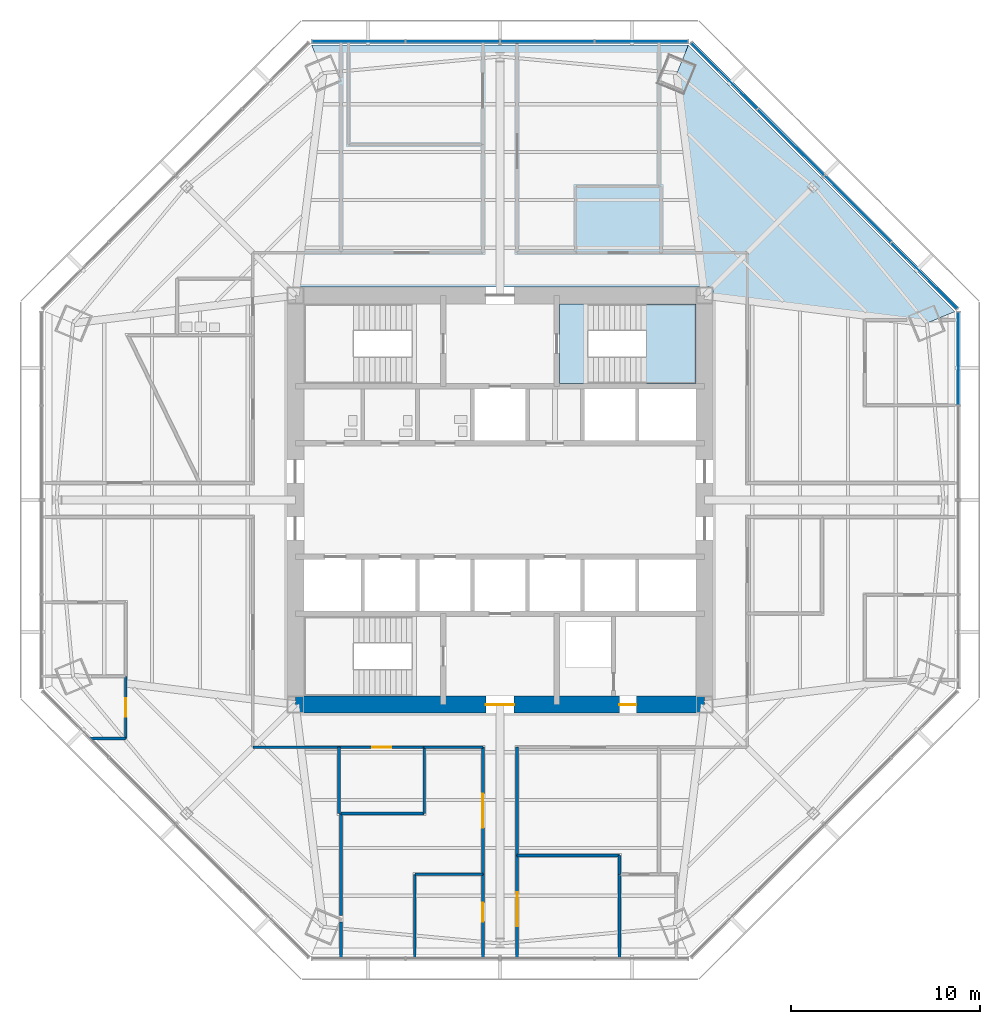
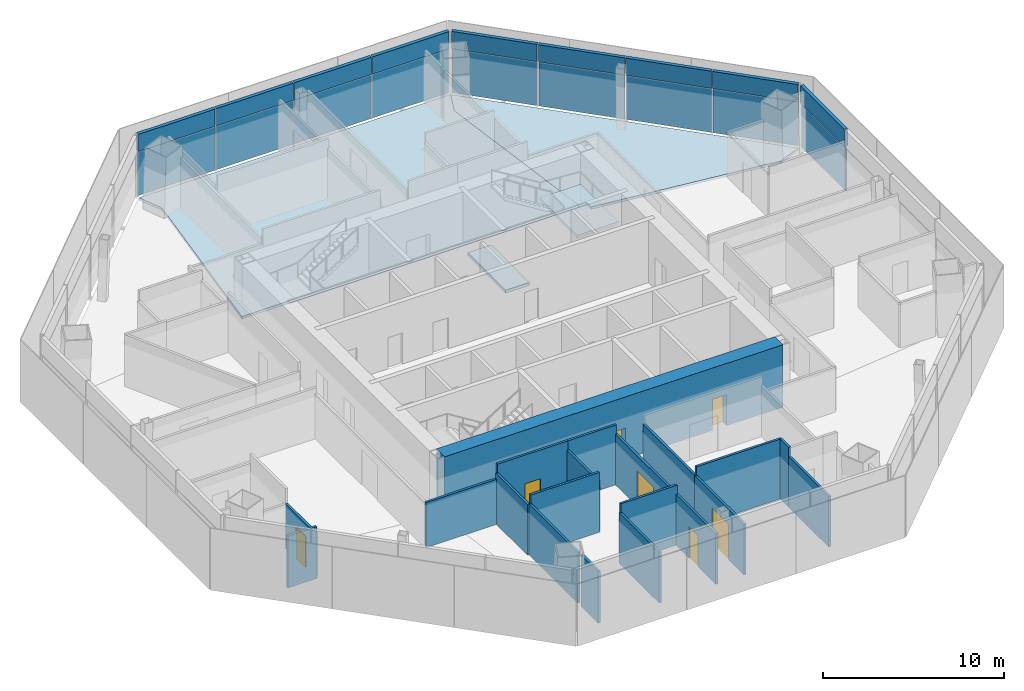
# One storey, part 8 of 14: 20 walls, 18 plates, 7 doors, 4 slabs, 7 openings, 4 elements without a shape of their own.
"""IFC4 building model written with IfcOpenShell, lengths in metres."""

from ifc_helpers import new_model, si_unit, direction, frame, frame_2d, origin, origin_2d, place, context, subcontext, project, spatial, polyline, rectangle, outline, extrude, source, transform, mapped, material, layer, layer_set, type_object, type_shapes, element, fill, aggregate, save


model = new_model("IFC4")

# Units and contexts
model_context = context("Model", 3, precision=1e-05, world=origin(), true_north=direction((0.0, 1.0)))
body_context = subcontext(model_context, "Body", "Model", "MODEL_VIEW")
ifc_project = project(units=[si_unit("LENGTHUNIT", "METRE"), si_unit("AREAUNIT", "SQUARE_METRE"), si_unit("VOLUMEUNIT", "CUBIC_METRE"), si_unit("PLANEANGLEUNIT", "RADIAN"), si_unit("MASSUNIT", "GRAM", prefix="KILO")], contexts=[model_context])

# Site, building, storey
site_placement = place(None, origin())
site = spatial("IfcSite", under=ifc_project, at=site_placement, CompositionType="ELEMENT")
building_placement = place(site_placement, origin())
building = spatial("IfcBuilding", under=site, at=building_placement, Name="Mashrafa Tower", CompositionType="ELEMENT")
storey_placement = place(building_placement, frame((0.0, 0.0, 134.39990234375)))
storey = spatial("IfcBuildingStorey", under=building, at=storey_placement, Name="L30", CompositionType="ELEMENT", Elevation=134.39990234375)

# Slabs
ifc_material_1 = material(Name="Concrete C35/45", Category="concrete")
ifc_layer_1 = layer(ifc_material_1, 0.1650390625)
ifc_layer_set_1 = layer_set([ifc_layer_1], Name="Floor slab 165")
slab_type_1 = type_object("IfcSlabType", Name="Floor slab 165", PredefinedType="FLOOR", material=ifc_layer_set_1)
slab_1_placement = place(storey_placement, frame((0.0, 0.0, -0.164794921875)))
element("IfcSlab", 1, at=slab_1_placement, inside=storey, type_object=slab_type_1, Name="Floor slab L30 north-east bay", PredefinedType="FLOOR", context=body_context, shape_type="SweptSolid", body=[
    extrude(outline(polyline([(9.9462890625, 24.0126953125), (24.0126953125, 9.9462890625), (24.0126953125, 9.9462890625), (22.539306640625, 9.3359375), (11.25, 10.743896484375), (11.25, 11.25), (10.743896484375, 11.25), (9.3359375, 22.539306640625), (9.9462890625, 24.0126953125), (9.9462890625, 24.0126953125)])), origin(), (0.0, 0.0, 1.0), 0.164794921875),
])
slab_2_placement = place(storey_placement, frame((0.0, 0.0, -0.164794921875)))
element("IfcSlab", 2, at=slab_2_placement, inside=storey, type_object=slab_type_1, Name="Floor slab L30 north bay", PredefinedType="FLOOR", context=body_context, shape_type="SweptSolid", body=[
    extrude(outline(polyline([(9.9462890625, 24.0126953125), (9.3359375, 22.539306640625), (10.743896484375, 11.25), (-10.743896484375, 11.25), (-9.3359375, 22.539306640625), (-9.9462890625, 24.0126953125), (9.9462890625, 24.0126953125)])), origin(), (0.0, 0.0, 1.0), 0.164794921875),
])

# Stair, slabs
ifc_material_2 = material(Name="Exit stair 1400")
stair_type = type_object("IfcStairType", Name="Exit stair 1400", PredefinedType="HALF_TURN_STAIR", material=ifc_material_2)
stair_placement = place(storey_placement, origin())
stair = element("IfcStair", 3, at=stair_placement, inside=storey, type_object=stair_type, Name="Stair S2 L30", PredefinedType="HALF_TURN_STAIR")
ifc_material_3 = material(Name="Concrete C32/40", Category="concrete")
ifc_layer_2 = layer(ifc_material_3, 0.199951171875)
ifc_layer_set_2 = layer_set([ifc_layer_2], Name="Stair landing 200")
slab_type_2 = type_object("IfcSlabType", Name="Stair landing 200", PredefinedType="LANDING", material=ifc_layer_set_2)
slab_3_placement = place(storey_placement, frame((0.0, 0.0, -0.199951171875)))
slab_3 = element("IfcSlab", 4, at=slab_3_placement, type_object=slab_type_2, Name="S2 landing 1", PredefinedType="LANDING", context=body_context, shape_type="SweptSolid", body=[
    extrude(outline(polyline([(3.14990234375, 6.14990234375), (4.659912109375, 6.14990234375), (4.659912109375, 10.35009765625), (3.14990234375, 10.35009765625), (3.14990234375, 6.14990234375)])), origin(), (0.0, 0.0, 1.0), 0.199951171875),
])
slab_4_placement = place(storey_placement, frame((0.0, 0.0, 1.900146484375)))
slab_4 = element("IfcSlab", 5, at=slab_4_placement, type_object=slab_type_2, Name="S2 landing 2", PredefinedType="LANDING", context=body_context, shape_type="SweptSolid", body=[
    extrude(outline(polyline([(7.719970703125, 6.14990234375), (10.35009765625, 6.14990234375), (10.35009765625, 10.35009765625), (7.719970703125, 10.35009765625), (7.719970703125, 6.14990234375)])), origin(), (0.0, 0.0, 1.0), 0.199951171875),
])
aggregate(stair, [slab_3, slab_4])

# Curtain wall, plate
ifc_material_4 = material(Name="Unitised aluminium curtain wall", Category="aluminium")
curtain_wall_type = type_object("IfcCurtainWallType", Name="Office curtain wall, zone 2 CW-B 225 deep", PredefinedType="NOTDEFINED", material=ifc_material_4)
curtain_wall_1_placement = place(storey_placement, origin())
curtain_wall_1 = element("IfcCurtainWall", 6, at=curtain_wall_1_placement, inside=storey, type_object=curtain_wall_type, Name="Office curtain wall, zone 2 L30 east", PredefinedType="NOTDEFINED")
ifc_material_5 = material(Name="Insulated double glazing, low-e, neutral", Category="glass")
ifc_layer_3 = layer(ifc_material_5, 0.028076171875)
ifc_layer_set_3 = layer_set([ifc_layer_3], Name="Vision panel CW-B 28")
plate_type_1 = type_object("IfcPlateType", Name="Vision panel CW-B 28", PredefinedType="CURTAIN_PANEL", material=ifc_layer_set_3)
shared_shape_1 = source(origin(), body_context, "Body", "SweptSolid", [
    extrude(rectangle(XDim=4.888916015625, YDim=0.028076171875, at=origin_2d()), origin(), (0.0, 0.0, 1.0), 2.9599609375),
])
plate_1_placement = place(storey_placement, frame((24.212646484375, 7.463134765625, 0.0), z_axis=(0.0, 0.0, 1.0), x_axis=(0.0, 1.0, 0.0)))
plate_1 = element("IfcPlate", 7, at=plate_1_placement, type_object=plate_type_1, Name="CW-B vision panel 4", PredefinedType="CURTAIN_PANEL", context=body_context, shape_type="MappedRepresentation", body=[
    mapped(shared_shape_1, transform((0.0, 0.0, 0.0))),
])

# Curtain wall, plates
curtain_wall_2_placement = place(storey_placement, origin())
curtain_wall_2 = element("IfcCurtainWall", 8, at=curtain_wall_2_placement, inside=storey, type_object=curtain_wall_type, Name="Office curtain wall, zone 2 L30 north-east", PredefinedType="NOTDEFINED")
plate_2_placement = place(storey_placement, frame((22.398193359375, 11.84375, 0.0), z_axis=(0.0, 0.0, 1.0), x_axis=(-0.707106781187, 0.707106781187, 0.0)))
plate_2 = element("IfcPlate", 9, at=plate_2_placement, type_object=plate_type_1, Name="CW-B vision panel 1", PredefinedType="CURTAIN_PANEL", context=body_context, shape_type="MappedRepresentation", body=[
    mapped(shared_shape_1, transform((0.0, 0.0, 0.0))),
])
plate_3_placement = place(storey_placement, frame((11.84375, 22.398193359375, 0.0), z_axis=(0.0, 0.0, 1.0), x_axis=(-0.707106781187, 0.707106781187, 0.0)))
plate_3 = element("IfcPlate", 10, at=plate_3_placement, type_object=plate_type_1, Name="CW-B vision panel 4", PredefinedType="CURTAIN_PANEL", context=body_context, shape_type="MappedRepresentation", body=[
    mapped(shared_shape_1, transform((0.0, 0.0, 0.0))),
])

curtain_wall_3_placement = place(storey_placement, origin())
curtain_wall_3 = element("IfcCurtainWall", 11, at=curtain_wall_3_placement, inside=storey, type_object=curtain_wall_type, Name="Office curtain wall, zone 2 L30 north", PredefinedType="NOTDEFINED")
plate_4_placement = place(storey_placement, frame((7.463134765625, 24.212646484375, 0.0), z_axis=(0.0, 0.0, 1.0), x_axis=(-1.0, 0.0, 0.0)))
plate_4 = element("IfcPlate", 12, at=plate_4_placement, type_object=plate_type_1, Name="CW-B vision panel 1", PredefinedType="CURTAIN_PANEL", context=body_context, shape_type="MappedRepresentation", body=[
    mapped(shared_shape_1, transform((0.0, 0.0, 0.0))),
])
plate_5_placement = place(storey_placement, frame((-7.463134765625, 24.212646484375, 0.0), z_axis=(0.0, 0.0, 1.0), x_axis=(-1.0, 0.0, 0.0)))
plate_5 = element("IfcPlate", 13, at=plate_5_placement, type_object=plate_type_1, Name="CW-B vision panel 4", PredefinedType="CURTAIN_PANEL", context=body_context, shape_type="MappedRepresentation", body=[
    mapped(shared_shape_1, transform((0.0, 0.0, 0.0))),
])

# Plate
ifc_material_6 = material(Name="Insulated aluminium spandrel panel", Category="aluminium")
ifc_layer_4 = layer(ifc_material_6, 0.219970703125)
ifc_layer_set_4 = layer_set([ifc_layer_4], Name="Spandrel panel CW-B 220")
plate_type_2 = type_object("IfcPlateType", Name="Spandrel panel CW-B 220", PredefinedType="CURTAIN_PANEL", material=ifc_layer_set_4)
shared_shape_2 = source(origin(), body_context, "Body", "SweptSolid", [
    extrude(rectangle(XDim=4.888916015625, YDim=0.219970703125, at=origin_2d()), origin(), (0.0, 0.0, 1.0), 1.159912109375),
])
plate_6_placement = place(storey_placement, frame((24.212646484375, 7.463134765625, 3.0400390625), z_axis=(0.0, 0.0, 1.0), x_axis=(0.0, 1.0, 0.0)))
plate_6 = element("IfcPlate", 14, at=plate_6_placement, type_object=plate_type_2, Name="CW-B spandrel panel 4", PredefinedType="CURTAIN_PANEL", context=body_context, shape_type="MappedRepresentation", body=[
    mapped(shared_shape_2, transform((0.0, 0.0, 0.0))),
])

aggregate(curtain_wall_1, [plate_1, plate_6])

plate_7_placement = place(storey_placement, frame((22.398193359375, 11.84375, 3.0400390625), z_axis=(0.0, 0.0, 1.0), x_axis=(-0.707106781187, 0.707106781187, 0.0)))
plate_7 = element("IfcPlate", 15, at=plate_7_placement, type_object=plate_type_2, Name="CW-B spandrel panel 1", PredefinedType="CURTAIN_PANEL", context=body_context, shape_type="MappedRepresentation", body=[
    mapped(shared_shape_2, transform((0.0, 0.0, 0.0))),
])

plate_8_placement = place(storey_placement, frame((11.84375, 22.398193359375, 3.0400390625), z_axis=(0.0, 0.0, 1.0), x_axis=(-0.707106781187, 0.707106781187, 0.0)))
plate_8 = element("IfcPlate", 16, at=plate_8_placement, type_object=plate_type_2, Name="CW-B spandrel panel 4", PredefinedType="CURTAIN_PANEL", context=body_context, shape_type="MappedRepresentation", body=[
    mapped(shared_shape_2, transform((0.0, 0.0, 0.0))),
])

plate_9_placement = place(storey_placement, frame((7.463134765625, 24.212646484375, 3.0400390625), z_axis=(0.0, 0.0, 1.0), x_axis=(-1.0, 0.0, 0.0)))
plate_9 = element("IfcPlate", 17, at=plate_9_placement, type_object=plate_type_2, Name="CW-B spandrel panel 1", PredefinedType="CURTAIN_PANEL", context=body_context, shape_type="MappedRepresentation", body=[
    mapped(shared_shape_2, transform((0.0, 0.0, 0.0))),
])

plate_10_placement = place(storey_placement, frame((-7.463134765625, 24.212646484375, 3.0400390625), z_axis=(0.0, 0.0, 1.0), x_axis=(-1.0, 0.0, 0.0)))
plate_10 = element("IfcPlate", 18, at=plate_10_placement, type_object=plate_type_2, Name="CW-B spandrel panel 4", PredefinedType="CURTAIN_PANEL", context=body_context, shape_type="MappedRepresentation", body=[
    mapped(shared_shape_2, transform((0.0, 0.0, 0.0))),
])

shared_shape_3 = source(origin(), body_context, "Body", "SweptSolid", [
    extrude(rectangle(XDim=4.92138671875, YDim=0.028076171875, at=origin_2d()), origin(), (0.0, 0.0, 1.0), 2.9599609375),
])
type_shapes(plate_type_1, [shared_shape_1, shared_shape_3])
plate_11_placement = place(storey_placement, frame((18.884033203125, 15.358154296875, 0.0), z_axis=(0.0, 0.0, 1.0), x_axis=(-0.707106781187, 0.707106781187, 0.0)))
plate_11 = element("IfcPlate", 19, at=plate_11_placement, type_object=plate_type_1, Name="CW-B vision panel 2", PredefinedType="CURTAIN_PANEL", context=body_context, shape_type="MappedRepresentation", body=[
    mapped(shared_shape_3, transform((0.0, 0.0, 0.0))),
])

plate_12_placement = place(storey_placement, frame((15.358154296875, 18.884033203125, 0.0), z_axis=(0.0, 0.0, 1.0), x_axis=(-0.707106781187, 0.707106781187, 0.0)))
plate_12 = element("IfcPlate", 20, at=plate_12_placement, type_object=plate_type_1, Name="CW-B vision panel 3", PredefinedType="CURTAIN_PANEL", context=body_context, shape_type="MappedRepresentation", body=[
    mapped(shared_shape_3, transform((0.0, 0.0, 0.0))),
])

plate_13_placement = place(storey_placement, frame((2.4931640625, 24.212646484375, 0.0), z_axis=(0.0, 0.0, 1.0), x_axis=(-1.0, 0.0, 0.0)))
plate_13 = element("IfcPlate", 21, at=plate_13_placement, type_object=plate_type_1, Name="CW-B vision panel 2", PredefinedType="CURTAIN_PANEL", context=body_context, shape_type="MappedRepresentation", body=[
    mapped(shared_shape_3, transform((0.0, 0.0, 0.0))),
])

plate_14_placement = place(storey_placement, frame((-2.4931640625, 24.212646484375, 0.0), z_axis=(0.0, 0.0, 1.0), x_axis=(-1.0, 0.0, 0.0)))
plate_14 = element("IfcPlate", 22, at=plate_14_placement, type_object=plate_type_1, Name="CW-B vision panel 3", PredefinedType="CURTAIN_PANEL", context=body_context, shape_type="MappedRepresentation", body=[
    mapped(shared_shape_3, transform((0.0, 0.0, 0.0))),
])

shared_shape_4 = source(origin(), body_context, "Body", "SweptSolid", [
    extrude(rectangle(XDim=4.92138671875, YDim=0.219970703125, at=origin_2d()), origin(), (0.0, 0.0, 1.0), 1.159912109375),
])
type_shapes(plate_type_2, [shared_shape_2, shared_shape_4])
plate_15_placement = place(storey_placement, frame((18.884033203125, 15.358154296875, 3.0400390625), z_axis=(0.0, 0.0, 1.0), x_axis=(-0.707106781187, 0.707106781187, 0.0)))
plate_15 = element("IfcPlate", 23, at=plate_15_placement, type_object=plate_type_2, Name="CW-B spandrel panel 2", PredefinedType="CURTAIN_PANEL", context=body_context, shape_type="MappedRepresentation", body=[
    mapped(shared_shape_4, transform((0.0, 0.0, 0.0))),
])

plate_16_placement = place(storey_placement, frame((15.358154296875, 18.884033203125, 3.0400390625), z_axis=(0.0, 0.0, 1.0), x_axis=(-0.707106781187, 0.707106781187, 0.0)))
plate_16 = element("IfcPlate", 24, at=plate_16_placement, type_object=plate_type_2, Name="CW-B spandrel panel 3", PredefinedType="CURTAIN_PANEL", context=body_context, shape_type="MappedRepresentation", body=[
    mapped(shared_shape_4, transform((0.0, 0.0, 0.0))),
])

aggregate(curtain_wall_2, [plate_2, plate_7, plate_11, plate_15, plate_12, plate_16, plate_3, plate_8])

plate_17_placement = place(storey_placement, frame((2.4931640625, 24.212646484375, 3.0400390625), z_axis=(0.0, 0.0, 1.0), x_axis=(-1.0, 0.0, 0.0)))
plate_17 = element("IfcPlate", 25, at=plate_17_placement, type_object=plate_type_2, Name="CW-B spandrel panel 2", PredefinedType="CURTAIN_PANEL", context=body_context, shape_type="MappedRepresentation", body=[
    mapped(shared_shape_4, transform((0.0, 0.0, 0.0))),
])

plate_18_placement = place(storey_placement, frame((-2.4931640625, 24.212646484375, 3.0400390625), z_axis=(0.0, 0.0, 1.0), x_axis=(-1.0, 0.0, 0.0)))
plate_18 = element("IfcPlate", 26, at=plate_18_placement, type_object=plate_type_2, Name="CW-B spandrel panel 3", PredefinedType="CURTAIN_PANEL", context=body_context, shape_type="MappedRepresentation", body=[
    mapped(shared_shape_4, transform((0.0, 0.0, 0.0))),
])

aggregate(curtain_wall_3, [plate_4, plate_9, plate_13, plate_17, plate_14, plate_18, plate_5, plate_10])

# Wall, openings, doors
ifc_material_7 = material(Name="Concrete C60/75", Category="concrete")
ifc_layer_5 = layer(ifc_material_7, 0.89990234375)
ifc_layer_set_5 = layer_set([ifc_layer_5], Name="Core wall 900 C60/75")
wall_type_1 = type_object("IfcWallType", Name="Core wall 900 C60/75", PredefinedType="SOLIDWALL", material=ifc_layer_set_5)
wall_1_placement = place(storey_placement, frame((-10.800048828125, -10.800048828125, 0.0), z_axis=(0.0, 0.0, 1.0), x_axis=(1.0, 0.0, 0.0)))
wall_1 = element("IfcWall", 27, at=wall_1_placement, inside=storey, type_object=wall_type_1, Name="Core wall CW-S L30", PredefinedType="SOLIDWALL", context=body_context, shape_type="SweptSolid", body=[
    extrude(rectangle(XDim=21.60009765625, YDim=0.89990234375, at=frame_2d((10.800048828125, 0.0))), origin(), (0.0, 0.0, 1.0), 4.2001953125),
])
opening_1_placement = place(wall_1_placement, frame((10.050048828125, 0.0, 0.0)))
opening_1 = element("IfcOpeningElement", 28, at=opening_1_placement, cuts=wall_1, Name="Opening 30.027", PredefinedType="OPENING", context=body_context, shape_type="SweptSolid", body=[
    extrude(rectangle(XDim=1.5, YDim=2.10009765625, at=frame_2d((0.75, 1.050048828125))), frame((0.0, 0.4599609375, 0.0), z_axis=(0.0, -1.0, 0.0), x_axis=(1.0, 0.0, 0.0)), (0.0, 0.0, 1.0), 0.919921875),
])
opening_2_placement = place(wall_1_placement, frame((17.10009765625, 0.0, 0.0)))
opening_2 = element("IfcOpeningElement", 29, at=opening_2_placement, cuts=wall_1, Name="Opening 30.031", PredefinedType="OPENING", context=body_context, shape_type="SweptSolid", body=[
    extrude(rectangle(XDim=0.89990234375, YDim=2.10009765625, at=frame_2d((0.449951171875, 1.050048828125))), frame((0.0, 0.4599609375, 0.0), z_axis=(0.0, -1.0, 0.0), x_axis=(1.0, 0.0, 0.0)), (0.0, 0.0, 1.0), 0.919921875),
])
ifc_material_8 = material(Name="Steel door", Category="steel")
door_type_1 = type_object("IfcDoorType", Name="Lobby door pair 1500 x 2100 90 min", OperationType="DOUBLE_DOOR_SINGLE_SWING", PredefinedType="DOOR", material=ifc_material_8)
door_1_placement = place(opening_1_placement, origin())
door_1 = element("IfcDoor", 30, at=door_1_placement, inside=storey, type_object=door_type_1, Name="Fire-fighting lobby F2 door L30", OperationType="DOUBLE_DOOR_SINGLE_SWING", OverallHeight=2.10009765625, OverallWidth=1.5, PredefinedType="DOOR", context=body_context, shape_type="SweptSolid", body=[
    extrude(rectangle(XDim=1.5, YDim=2.10009765625, at=frame_2d((0.75, 1.050048828125))), frame((0.0, 0.02490234375, 0.0), z_axis=(0.0, -1.0, 0.0), x_axis=(1.0, 0.0, 0.0)), (0.0, 0.0, 1.0), 0.050048828125),
])
fill(opening_1, door_1)
ifc_material_9 = material(Name="Steel door", Category="steel")
door_type_2 = type_object("IfcDoorType", Name="Service door 900 x 2100 90 min", OperationType="USERDEFINED", PredefinedType="DOOR", material=ifc_material_9)
door_2_placement = place(opening_2_placement, origin())
door_2 = element("IfcDoor", 31, at=door_2_placement, inside=storey, type_object=door_type_2, Name="Communications Room L30 door", OperationType="SINGLE_SWING_LEFT", OverallHeight=2.10009765625, OverallWidth=0.89990234375, PredefinedType="DOOR", context=body_context, shape_type="SweptSolid", body=[
    extrude(rectangle(XDim=0.89990234375, YDim=2.10009765625, at=frame_2d((0.449951171875, 1.050048828125))), frame((0.0, 0.02490234375, 0.0), z_axis=(0.0, -1.0, 0.0), x_axis=(1.0, 0.0, 0.0)), (0.0, 0.0, 1.0), 0.050048828125),
])
fill(opening_2, door_2)

# Wall, opening, door
ifc_material_10 = material(Name="Gypsum board on steel studs", Category="steel")
ifc_layer_6 = layer(ifc_material_10, 0.14990234375)
ifc_layer_set_6 = layer_set([ifc_layer_6], Name="Corridor partition 150 1 hr")
wall_type_2 = type_object("IfcWallType", Name="Corridor partition 150 1 hr", PredefinedType="PARTITIONING", material=ifc_layer_set_6)
wall_2_placement = place(storey_placement, frame((-8.5009765625, -13.050048828125, 0.0), z_axis=(0.0, 0.0, 1.0), x_axis=(1.0, 0.0, 0.0)))
wall_2 = element("IfcWall", 32, at=wall_2_placement, inside=storey, type_object=wall_type_2, Name="Corridor wall L30-008", PredefinedType="PARTITIONING", context=body_context, shape_type="SweptSolid", body=[
    extrude(rectangle(XDim=4.501953125, YDim=0.14990234375, at=frame_2d((2.2509765625, 0.0))), origin(), (0.0, 0.0, 1.0), 4.03515625),
])
opening_3_placement = place(wall_2_placement, frame((1.7509765625, 0.0, 0.0)))
opening_3 = element("IfcOpeningElement", 33, at=opening_3_placement, cuts=wall_2, Name="Opening 30.006", PredefinedType="OPENING", context=body_context, shape_type="SweptSolid", body=[
    extrude(rectangle(XDim=1.0, YDim=2.10009765625, at=frame_2d((0.5, 1.050048828125))), frame((0.0, 0.0849609375, 0.0), z_axis=(0.0, -1.0, 0.0), x_axis=(1.0, 0.0, 0.0)), (0.0, 0.0, 1.0), 0.169921875),
])
ifc_material_11 = material(Name="Timber door", Category="wood")
door_type_3 = type_object("IfcDoorType", Name="Door 1000 x 2100", OperationType="USERDEFINED", PredefinedType="DOOR", material=ifc_material_11)
door_3_placement = place(opening_3_placement, frame((1.0, 0.0, 0.0), z_axis=(0.0, 0.0, 1.0), x_axis=(-1.0, 0.0, 0.0)))
door_3 = element("IfcDoor", 34, at=door_3_placement, inside=storey, type_object=door_type_3, Name="Pantry 30-S door", OperationType="SINGLE_SWING_RIGHT", OverallHeight=2.10009765625, OverallWidth=1.0, PredefinedType="DOOR", context=body_context, shape_type="SweptSolid", body=[
    extrude(rectangle(XDim=1.0, YDim=2.10009765625, at=frame_2d((0.5, 1.050048828125))), frame((0.0, 0.02490234375, 0.0), z_axis=(0.0, -1.0, 0.0), x_axis=(1.0, 0.0, 0.0)), (0.0, 0.0, 1.0), 0.050048828125),
])
fill(opening_3, door_3)

wall_3_placement = place(storey_placement, frame((0.89990234375, -24.19677734375, 0.0), z_axis=(0.0, 0.0, 1.0), x_axis=(0.0, 1.0, 0.0)))
wall_3 = element("IfcWall", 35, at=wall_3_placement, inside=storey, type_object=wall_type_2, Name="Corridor wall L30-009", PredefinedType="PARTITIONING", context=body_context, shape_type="SweptSolid", body=[
    extrude(rectangle(XDim=5.43505859375, YDim=0.14990234375, at=frame_2d((2.717529296875, 0.0))), origin(), (0.0, 0.0, 1.0), 3.42578125),
])
opening_4_placement = place(wall_3_placement, frame((1.699462890625, 0.0, 0.0)))
opening_4 = element("IfcOpeningElement", 36, at=opening_4_placement, cuts=wall_3, Name="Opening 30.009", PredefinedType="OPENING", context=body_context, shape_type="SweptSolid", body=[
    extrude(rectangle(XDim=1.800048828125, YDim=2.39990234375, at=frame_2d((0.89990234375, 1.199951171875))), frame((0.0, 0.0849609375, 0.0), z_axis=(0.0, -1.0, 0.0), x_axis=(1.0, 0.0, 0.0)), (0.0, 0.0, 1.0), 0.169921875),
])
ifc_material_12 = material(Name="Timber door", Category="wood")
door_type_4 = type_object("IfcDoorType", Name="Door pair 1800 x 2400", OperationType="DOUBLE_DOOR_SINGLE_SWING", PredefinedType="DOOR", material=ifc_material_12)
door_4_placement = place(opening_4_placement, frame((1.800048828125, 0.0, 0.0), z_axis=(0.0, 0.0, 1.0), x_axis=(-1.0, 0.0, 0.0)))
door_4 = element("IfcDoor", 37, at=door_4_placement, inside=storey, type_object=door_type_4, Name="Training Room 30-S door", OperationType="DOUBLE_DOOR_SINGLE_SWING", OverallHeight=2.39990234375, OverallWidth=1.800048828125, PredefinedType="DOOR", context=body_context, shape_type="SweptSolid", body=[
    extrude(rectangle(XDim=1.800048828125, YDim=2.39990234375, at=frame_2d((0.89990234375, 1.199951171875))), frame((0.0, 0.02490234375, 0.0), z_axis=(0.0, -1.0, 0.0), x_axis=(1.0, 0.0, 0.0)), (0.0, 0.0, 1.0), 0.050048828125),
])
fill(opening_4, door_4)

wall_4_placement = place(storey_placement, frame((-0.89990234375, -19.76171875, 0.0), z_axis=(0.0, 0.0, 1.0), x_axis=(0.0, -1.0, 0.0)))
wall_4 = element("IfcWall", 38, at=wall_4_placement, inside=storey, type_object=wall_type_2, Name="Corridor wall L30-010", PredefinedType="PARTITIONING", context=body_context, shape_type="SweptSolid", body=[
    extrude(rectangle(XDim=4.43505859375, YDim=0.14990234375, at=frame_2d((2.217529296875, 0.0))), origin(), (0.0, 0.0, 1.0), 3.42578125),
])
opening_5_placement = place(wall_4_placement, frame((1.50048828125, 0.0, 0.0)))
opening_5 = element("IfcOpeningElement", 39, at=opening_5_placement, cuts=wall_4, Name="Opening 30.011", PredefinedType="OPENING", context=body_context, shape_type="SweptSolid", body=[
    extrude(rectangle(XDim=1.0, YDim=2.10009765625, at=frame_2d((0.5, 1.050048828125))), frame((0.0, 0.0849609375, 0.0), z_axis=(0.0, -1.0, 0.0), x_axis=(1.0, 0.0, 0.0)), (0.0, 0.0, 1.0), 0.169921875),
])
door_5_placement = place(opening_5_placement, frame((1.0, 0.0, 0.0), z_axis=(0.0, 0.0, 1.0), x_axis=(-1.0, 0.0, 0.0)))
door_5 = element("IfcDoor", 40, at=door_5_placement, inside=storey, type_object=door_type_3, Name="Huddle Room 30-S door", OperationType="SINGLE_SWING_RIGHT", OverallHeight=2.10009765625, OverallWidth=1.0, PredefinedType="DOOR", context=body_context, shape_type="SweptSolid", body=[
    extrude(rectangle(XDim=1.0, YDim=2.10009765625, at=frame_2d((0.5, 1.050048828125))), frame((0.0, 0.02490234375, 0.0), z_axis=(0.0, -1.0, 0.0), x_axis=(1.0, 0.0, 0.0)), (0.0, 0.0, 1.0), 0.050048828125),
])
fill(opening_5, door_5)

# Walls
wall_5_placement = place(storey_placement, frame((-13.050048828125, -13.050048828125, 0.0), z_axis=(0.0, 0.0, 1.0), x_axis=(1.0, 0.0, 0.0)))
element("IfcWall", 41, at=wall_5_placement, inside=storey, type_object=wall_type_2, Name="Corridor wall L30-023", PredefinedType="PARTITIONING", context=body_context, shape_type="SweptSolid", body=[
    extrude(rectangle(XDim=4.551025390625, YDim=0.14990234375, at=frame_2d((2.275390625, 0.0))), origin(), (0.0, 0.0, 1.0), 3.0419921875),
])
wall_6_placement = place(storey_placement, frame((-4.0009765625, -13.050048828125, 0.0), z_axis=(0.0, 0.0, 1.0), x_axis=(1.0, 0.0, 0.0)))
element("IfcWall", 42, at=wall_6_placement, inside=storey, type_object=wall_type_2, Name="Corridor wall L30-024", PredefinedType="PARTITIONING", context=body_context, shape_type="SweptSolid", body=[
    extrude(rectangle(XDim=3.10107421875, YDim=0.14990234375, at=frame_2d((1.550537109375, 0.0))), origin(), (0.0, 0.0, 1.0), 4.03515625),
])

# Wall, opening, door
wall_7_placement = place(storey_placement, frame((-0.89990234375, -13.050048828125, 0.0), z_axis=(0.0, 0.0, 1.0), x_axis=(0.0, -1.0, 0.0)))
wall_7 = element("IfcWall", 43, at=wall_7_placement, inside=storey, type_object=wall_type_2, Name="Corridor wall L30-025", PredefinedType="PARTITIONING", context=body_context, shape_type="SweptSolid", body=[
    extrude(rectangle(XDim=6.713623046875, YDim=0.14990234375, at=frame_2d((3.35693359375, 0.0))), origin(), (0.0, 0.0, 1.0), 3.42578125),
])
opening_6_placement = place(wall_7_placement, frame((2.456787109375, 0.0, 0.0)))
opening_6 = element("IfcOpeningElement", 44, at=opening_6_placement, cuts=wall_7, Name="Opening 30.019", PredefinedType="OPENING", context=body_context, shape_type="SweptSolid", body=[
    extrude(rectangle(XDim=1.800048828125, YDim=2.39990234375, at=frame_2d((0.89990234375, 1.199951171875))), frame((0.0, 0.0849609375, 0.0), z_axis=(0.0, -1.0, 0.0), x_axis=(1.0, 0.0, 0.0)), (0.0, 0.0, 1.0), 0.169921875),
])
door_6_placement = place(opening_6_placement, frame((1.800048828125, 0.0, 0.0), z_axis=(0.0, 0.0, 1.0), x_axis=(-1.0, 0.0, 0.0)))
door_6 = element("IfcDoor", 45, at=door_6_placement, inside=storey, type_object=door_type_4, Name="Office Tenancy 30-S-SW2 door", OperationType="DOUBLE_DOOR_SINGLE_SWING", OverallHeight=2.39990234375, OverallWidth=1.800048828125, PredefinedType="DOOR", context=body_context, shape_type="SweptSolid", body=[
    extrude(rectangle(XDim=1.800048828125, YDim=2.39990234375, at=frame_2d((0.89990234375, 1.199951171875))), frame((0.0, 0.02490234375, 0.0), z_axis=(0.0, -1.0, 0.0), x_axis=(1.0, 0.0, 0.0)), (0.0, 0.0, 1.0), 0.050048828125),
])
fill(opening_6, door_6)

# Walls
wall_8_placement = place(storey_placement, frame((0.89990234375, -18.763671875, 0.0), z_axis=(0.0, 0.0, 1.0), x_axis=(0.0, 1.0, 0.0)))
element("IfcWall", 46, at=wall_8_placement, inside=storey, type_object=wall_type_2, Name="Corridor wall L30-029", PredefinedType="PARTITIONING", context=body_context, shape_type="SweptSolid", body=[
    extrude(rectangle(XDim=5.713623046875, YDim=0.14990234375, at=frame_2d((2.85693359375, 0.0))), origin(), (0.0, 0.0, 1.0), 3.42578125),
])
ifc_material_13 = material(Name="Gypsum board on steel studs", Category="steel")
ifc_layer_7 = layer(ifc_material_13, 0.14990234375)
ifc_layer_set_7 = layer_set([ifc_layer_7], Name="Partition 150")
wall_type_3 = type_object("IfcWallType", Name="Partition 150", PredefinedType="PARTITIONING", material=ifc_layer_set_7)
wall_9_placement = place(storey_placement, frame((-8.5, -13.050048828125, 0.0), z_axis=(0.0, 0.0, 1.0), x_axis=(0.0, -1.0, 0.0)))
element("IfcWall", 47, at=wall_9_placement, inside=storey, type_object=wall_type_3, Name="Partition wall L30-043", PredefinedType="PARTITIONING", context=body_context, shape_type="SweptSolid", body=[
    extrude(rectangle(XDim=3.5, YDim=0.14990234375, at=frame_2d((1.75, 0.0))), origin(), (0.0, 0.0, 1.0), 3.42578125),
])
wall_10_placement = place(storey_placement, frame((-8.40087890625, -16.550048828125, 0.0), z_axis=(0.0, 0.0, 1.0), x_axis=(1.0, 0.0, 0.0)))
element("IfcWall", 48, at=wall_10_placement, inside=storey, type_object=wall_type_3, Name="Partition wall L30-044", PredefinedType="PARTITIONING", context=body_context, shape_type="SweptSolid", body=[
    extrude(rectangle(XDim=4.40087890625, YDim=0.14990234375, at=frame_2d((2.200439453125, 0.0))), origin(), (0.0, 0.0, 1.0), 4.03515625),
])
wall_11_placement = place(storey_placement, frame((-4.0, -16.550048828125, 0.0), z_axis=(0.0, 0.0, 1.0), x_axis=(0.0, 1.0, 0.0)))
element("IfcWall", 49, at=wall_11_placement, inside=storey, type_object=wall_type_3, Name="Partition wall L30-045", PredefinedType="PARTITIONING", context=body_context, shape_type="SweptSolid", body=[
    extrude(rectangle(XDim=3.5, YDim=0.14990234375, at=frame_2d((1.75, 0.0))), origin(), (0.0, 0.0, 1.0), 3.42578125),
])
wall_12_placement = place(storey_placement, frame((6.30908203125, -24.194580078125, 0.0), z_axis=(0.0, 0.0, 1.0), x_axis=(0.0, 1.0, 0.0)))
element("IfcWall", 50, at=wall_12_placement, inside=storey, type_object=wall_type_3, Name="Partition wall L30-054", PredefinedType="PARTITIONING", context=body_context, shape_type="SweptSolid", body=[
    extrude(rectangle(XDim=4.432861328125, YDim=0.14990234375, at=frame_2d((2.21630859375, 0.0))), origin(), (0.0, 0.0, 1.0), 3.42578125),
])
wall_13_placement = place(storey_placement, frame((6.30908203125, -19.763671875, 0.0), z_axis=(0.0, 0.0, 1.0), x_axis=(0.0, 1.0, 0.0)))
element("IfcWall", 51, at=wall_13_placement, inside=storey, type_object=wall_type_3, Name="Partition wall L30-055", PredefinedType="PARTITIONING", context=body_context, shape_type="SweptSolid", body=[
    extrude(rectangle(XDim=1.0009765625, YDim=0.14990234375, at=frame_2d((0.50048828125, 0.0))), origin(), (0.0, 0.0, 1.0), 4.03515625),
])
wall_14_placement = place(storey_placement, frame((6.30908203125, -18.7626953125, 0.0), z_axis=(0.0, 0.0, 1.0), x_axis=(-1.0, 0.0, 0.0)))
element("IfcWall", 52, at=wall_14_placement, inside=storey, type_object=wall_type_3, Name="Partition wall L30-056", PredefinedType="PARTITIONING", context=body_context, shape_type="SweptSolid", body=[
    extrude(rectangle(XDim=5.4091796875, YDim=0.14990234375, at=frame_2d((2.70458984375, 0.0))), origin(), (0.0, 0.0, 1.0), 4.03515625),
])
wall_15_placement = place(storey_placement, frame((-0.89990234375, -19.7626953125, 0.0), z_axis=(0.0, 0.0, 1.0), x_axis=(-1.0, 0.0, 0.0)))
element("IfcWall", 53, at=wall_15_placement, inside=storey, type_object=wall_type_3, Name="Partition wall L30-061", PredefinedType="PARTITIONING", context=body_context, shape_type="SweptSolid", body=[
    extrude(rectangle(XDim=3.60009765625, YDim=0.14990234375, at=frame_2d((1.800048828125, 0.0))), origin(), (0.0, 0.0, 1.0), 4.03515625),
])
wall_16_placement = place(storey_placement, frame((-4.5, -19.7626953125, 0.0), z_axis=(0.0, 0.0, 1.0), x_axis=(0.0, -1.0, 0.0)))
element("IfcWall", 54, at=wall_16_placement, inside=storey, type_object=wall_type_3, Name="Partition wall L30-062", PredefinedType="PARTITIONING", context=body_context, shape_type="SweptSolid", body=[
    extrude(rectangle(XDim=4.431884765625, YDim=0.14990234375, at=frame_2d((2.2158203125, 0.0))), origin(), (0.0, 0.0, 1.0), 3.42578125),
])
wall_17_placement = place(storey_placement, frame((-21.6181640625, -12.60009765625, 0.0), z_axis=(0.0, 0.0, 1.0), x_axis=(1.0, 0.0, 0.0)))
element("IfcWall", 55, at=wall_17_placement, inside=storey, type_object=wall_type_3, Name="Partition wall L30-067", PredefinedType="PARTITIONING", context=body_context, shape_type="SweptSolid", body=[
    extrude(rectangle(XDim=1.85546875, YDim=0.14990234375, at=frame_2d((0.927734375, 0.0))), origin(), (0.0, 0.0, 1.0), 3.499267578125),
])

# Wall, opening, door
wall_18_placement = place(storey_placement, frame((-19.7626953125, -12.60009765625, 0.0), z_axis=(0.0, 0.0, 1.0), x_axis=(0.0, 1.0, 0.0)))
wall_18 = element("IfcWall", 56, at=wall_18_placement, inside=storey, type_object=wall_type_3, Name="Partition wall L30-068", PredefinedType="PARTITIONING", context=body_context, shape_type="SweptSolid", body=[
    extrude(rectangle(XDim=3.291015625, YDim=0.14990234375, at=frame_2d((1.6455078125, 0.0))), origin(), (0.0, 0.0, 1.0), 3.0419921875),
])
opening_7_placement = place(wall_18_placement, frame((1.1455078125, 0.0, 0.0)))
opening_7 = element("IfcOpeningElement", 57, at=opening_7_placement, cuts=wall_18, Name="Opening 30.013", PredefinedType="OPENING", context=body_context, shape_type="SweptSolid", body=[
    extrude(rectangle(XDim=1.0, YDim=2.10009765625, at=frame_2d((0.5, 1.050048828125))), frame((0.0, 0.0849609375, 0.0), z_axis=(0.0, -1.0, 0.0), x_axis=(1.0, 0.0, 0.0)), (0.0, 0.0, 1.0), 0.169921875),
])
door_7_placement = place(opening_7_placement, origin())
door_7 = element("IfcDoor", 58, at=door_7_placement, inside=storey, type_object=door_type_3, Name="Office 30-S-SW1-2 door", OperationType="SINGLE_SWING_LEFT", OverallHeight=2.10009765625, OverallWidth=1.0, PredefinedType="DOOR", context=body_context, shape_type="SweptSolid", body=[
    extrude(rectangle(XDim=1.0, YDim=2.10009765625, at=frame_2d((0.5, 1.050048828125))), frame((0.0, 0.02490234375, 0.0), z_axis=(0.0, -1.0, 0.0), x_axis=(1.0, 0.0, 0.0)), (0.0, 0.0, 1.0), 0.050048828125),
])
fill(opening_7, door_7)

# Walls
wall_19_placement = place(storey_placement, frame((-8.39990234375, -24.194580078125, 0.0), z_axis=(0.0, 0.0, 1.0), x_axis=(0.0, 1.0, 0.0)))
element("IfcWall", 59, at=wall_19_placement, inside=storey, type_object=wall_type_3, Name="Partition wall L30-073", PredefinedType="PARTITIONING", context=body_context, shape_type="SweptSolid", body=[
    extrude(rectangle(XDim=1.90576171875, YDim=0.14990234375, at=frame_2d((0.952880859375, 0.0))), origin(), (0.0, 0.0, 1.0), 3.499267578125),
])
wall_20_placement = place(storey_placement, frame((-8.39990234375, -21.949462890625, 0.0), z_axis=(0.0, 0.0, 1.0), x_axis=(0.0, 1.0, 0.0)))
element("IfcWall", 60, at=wall_20_placement, inside=storey, type_object=wall_type_3, Name="Partition wall L30-074", PredefinedType="PARTITIONING", context=body_context, shape_type="SweptSolid", body=[
    extrude(rectangle(XDim=5.3994140625, YDim=0.14990234375, at=frame_2d((2.69970703125, 0.0))), origin(), (0.0, 0.0, 1.0), 3.42578125),
])

save(model, "model.ifc")
